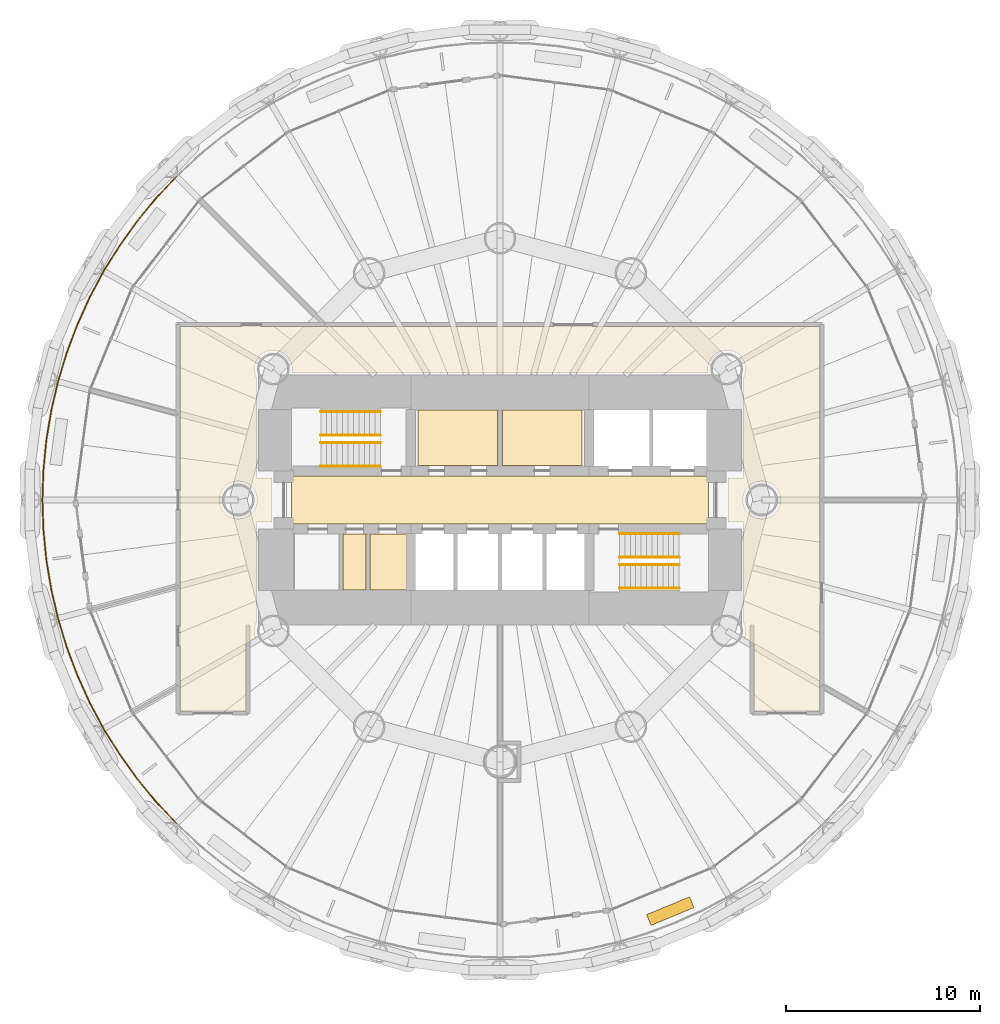
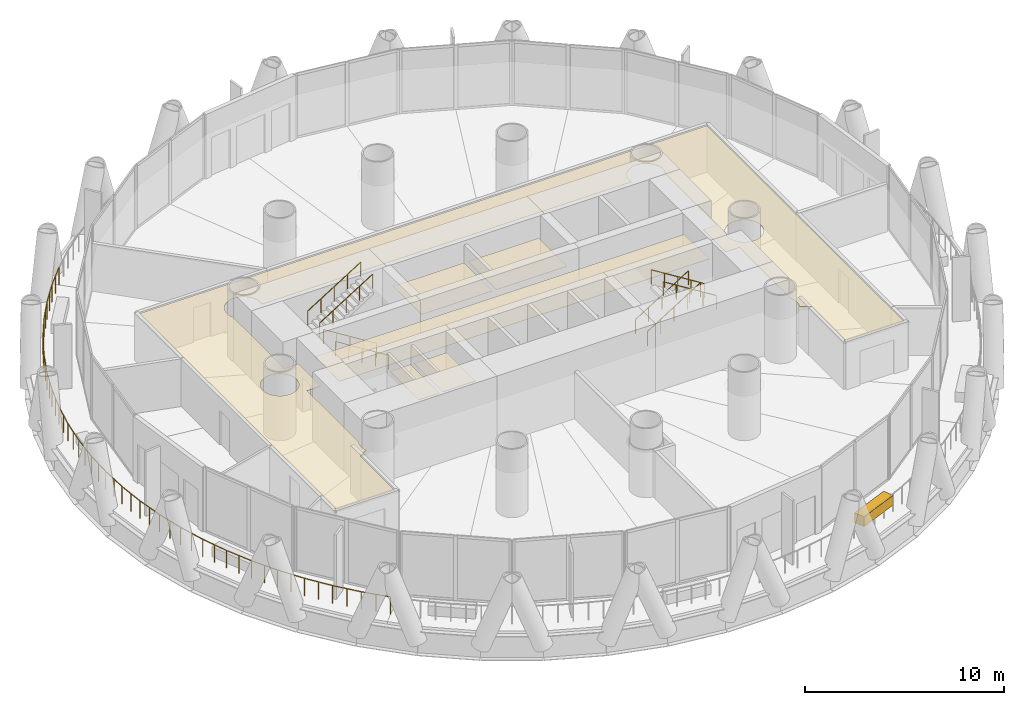
# One storey, part 13 of 15: 9 railings, 7 coverings.
"""IFC4 building model written with IfcOpenShell, lengths in metres."""

from ifc_helpers import new_model, si_unit, direction, frame, origin, origin_2d, place, context, subcontext, project, spatial, polyline, rectangle, circle, outline, extrude, material, layer, layer_set, type_object, element, save


model = new_model("IFC4")

# Units and contexts
model_context = context("Model", 3, precision=1e-05, world=origin(), true_north=direction((0.0, 1.0)))
body_context = subcontext(model_context, "Body", "Model", "MODEL_VIEW")
ifc_project = project(units=[si_unit("LENGTHUNIT", "METRE"), si_unit("AREAUNIT", "SQUARE_METRE"), si_unit("VOLUMEUNIT", "CUBIC_METRE"), si_unit("PLANEANGLEUNIT", "RADIAN"), si_unit("MASSUNIT", "GRAM", prefix="KILO")], contexts=[model_context])

# Site, building, storey
site_placement = place(None, origin())
site = spatial("IfcSite", under=ifc_project, at=site_placement, CompositionType="ELEMENT")
building_placement = place(site_placement, origin())
building = spatial("IfcBuilding", under=site, at=building_placement, Name="Qaws Media Tower", CompositionType="ELEMENT")
storey_placement = place(building_placement, frame((0.0, 0.0, 189.800048828125)))
storey = spatial("IfcBuildingStorey", under=building, at=storey_placement, Name="L43", CompositionType="ELEMENT", Elevation=189.800048828125)

# Railing
ifc_material_1 = material(Name="Stainless steel and glass guard", Category="steel")
railing_type_1 = type_object("IfcRailingType", Name="Balcony guard 1100", PredefinedType="GUARDRAIL", material=ifc_material_1)
railing_placement = place(storey_placement, frame((43.312255859375, 66.687744140625, 0.0)))
element("IfcRailing", 1, at=railing_placement, inside=storey, type_object=railing_type_1, Name="GR1 balcony guard L43-2", PredefinedType="GUARDRAIL", context=body_context, shape_type="SweptSolid", body=[
    extrude(circle(Radius=0.02392578125, at=origin_2d()), frame((0.0, 0.0, 1.076171875), z_axis=(-0.683567678195, -0.72988713465, 0.0), x_axis=(0.72988713465, -0.683567678195, 0.0)), (0.0, 0.0, 1.0), 1.54443359375),
    extrude(circle(Radius=0.02392578125, at=origin_2d()), frame((-1.0556640625, -1.127197265625, 1.076171875), z_axis=(-0.634382016115, -0.773019700674, 0.0), x_axis=(0.773019700674, -0.634382016115, 0.0)), (0.0, 0.0, 1.0), 1.54443359375),
    extrude(circle(Radius=0.02392578125, at=origin_2d()), frame((-2.035400390625, -2.321044921875, 1.076171875), z_axis=(-0.58258335011, -0.812770964156, 0.0), x_axis=(0.812770964156, -0.58258335011, 0.0)), (0.0, 0.0, 1.0), 1.544189453125),
    extrude(circle(Radius=0.02392578125, at=origin_2d()), frame((-2.93505859375, -3.576171875, 1.076171875), z_axis=(-0.528008081501, -0.849239345456, 0.0), x_axis=(0.849239345456, -0.528008081501, 0.0)), (0.0, 0.0, 1.0), 1.54443359375),
    extrude(circle(Radius=0.02392578125, at=origin_2d()), frame((-3.75048828125, -4.8876953125, 1.076171875), z_axis=(-0.471392110461, -0.881923737177, 0.0), x_axis=(0.881923737177, -0.471392110461, 0.0)), (0.0, 0.0, 1.0), 1.54443359375),
    extrude(circle(Radius=0.02392578125, at=origin_2d()), frame((-4.478515625, -6.249755859375, 1.076171875), z_axis=(-0.412611510873, -0.91090709795, 0.0), x_axis=(0.91090709795, -0.412611510873, 0.0)), (0.0, 0.0, 1.0), 1.54443359375),
    extrude(circle(Radius=0.02392578125, at=origin_2d()), frame((-5.11572265625, -7.656494140625, 1.076171875), z_axis=(-0.352370482159, -0.935860589673, 0.0), x_axis=(0.935860589673, -0.352370482159, 0.0)), (0.0, 0.0, 1.0), 1.54443359375),
    extrude(circle(Radius=0.02392578125, at=origin_2d()), frame((-5.659912109375, -9.101806640625, 1.076171875), z_axis=(-0.290261878945, -0.956947251227, 0.0), x_axis=(0.956947251227, -0.290261878945, 0.0)), (0.0, 0.0, 1.0), 1.544189453125),
    extrude(circle(Radius=0.02392578125, at=origin_2d()), frame((-6.108154296875, -10.57958984375, 1.076171875), z_axis=(-0.227029696794, -0.973887835828, 0.0), x_axis=(0.973887835828, -0.227029696794, 0.0)), (0.0, 0.0, 1.0), 1.544189453125),
    extrude(circle(Radius=0.02392578125, at=origin_2d()), frame((-6.458740234375, -12.08349609375, 1.076171875), z_axis=(-0.162963426156, -0.986632110635, 0.0), x_axis=(0.986632110635, -0.162963426156, 0.0)), (0.0, 0.0, 1.0), 1.544677734375),
    extrude(circle(Radius=0.02392578125, at=origin_2d()), frame((-6.71044921875, -13.607421875, 1.076171875), z_axis=(-0.098016610467, -0.995184778859, 0.0), x_axis=(0.995184778859, -0.098016610467, 0.0)), (0.0, 0.0, 1.0), 1.544189453125),
    extrude(circle(Radius=0.02392578125, at=origin_2d()), frame((-6.86181640625, -15.144287109375, 1.076171875), z_axis=(-0.032725265376, -0.999464385061, 0.0), x_axis=(0.999464385061, -0.032725265376, 0.0)), (0.0, 0.0, 1.0), 1.544189453125),
    extrude(circle(Radius=0.02392578125, at=origin_2d()), frame((-6.912353515625, -16.687744140625, 1.076171875), z_axis=(0.032725265376, -0.999464385061, 0.0), x_axis=(0.999464385061, 0.032725265376, 0.0)), (0.0, 0.0, 1.0), 1.544189453125),
    extrude(circle(Radius=0.02392578125, at=origin_2d()), frame((-6.86181640625, -18.231201171875, 1.076171875), z_axis=(0.098016610467, -0.995184778859, 0.0), x_axis=(0.995184778859, 0.098016610467, 0.0)), (0.0, 0.0, 1.0), 1.544189453125),
    extrude(circle(Radius=0.02392578125, at=origin_2d()), frame((-6.71044921875, -19.76806640625, 1.076171875), z_axis=(0.162963426156, -0.986632110635, 0.0), x_axis=(0.986632110635, 0.162963426156, 0.0)), (0.0, 0.0, 1.0), 1.544677734375),
    extrude(circle(Radius=0.02392578125, at=origin_2d()), frame((-6.458740234375, -21.2919921875, 1.076171875), z_axis=(0.227029696794, -0.973887835828, 0.0), x_axis=(0.973887835828, 0.227029696794, 0.0)), (0.0, 0.0, 1.0), 1.544189453125),
    extrude(circle(Radius=0.02392578125, at=origin_2d()), frame((-6.108154296875, -22.7958984375, 1.076171875), z_axis=(0.290261878945, -0.956947251227, 0.0), x_axis=(0.956947251227, 0.290261878945, 0.0)), (0.0, 0.0, 1.0), 1.544189453125),
    extrude(circle(Radius=0.02392578125, at=origin_2d()), frame((-5.659912109375, -24.273681640625, 1.076171875), z_axis=(0.352370482159, -0.935860589673, 0.0), x_axis=(0.935860589673, 0.352370482159, 0.0)), (0.0, 0.0, 1.0), 1.54443359375),
    extrude(circle(Radius=0.02392578125, at=origin_2d()), frame((-5.11572265625, -25.718994140625, 1.076171875), z_axis=(0.412611510873, -0.91090709795, 0.0), x_axis=(0.91090709795, 0.412611510873, 0.0)), (0.0, 0.0, 1.0), 1.54443359375),
    extrude(circle(Radius=0.02392578125, at=origin_2d()), frame((-4.478515625, -27.125732421875, 1.076171875), z_axis=(0.471392110461, -0.881923737177, 0.0), x_axis=(0.881923737177, 0.471392110461, 0.0)), (0.0, 0.0, 1.0), 1.54443359375),
    extrude(circle(Radius=0.02392578125, at=origin_2d()), frame((-3.75048828125, -28.48779296875, 1.076171875), z_axis=(0.528008081501, -0.849239345456, 0.0), x_axis=(0.849239345456, 0.528008081501, 0.0)), (0.0, 0.0, 1.0), 1.54443359375),
    extrude(circle(Radius=0.02392578125, at=origin_2d()), frame((-2.93505859375, -29.79931640625, 1.076171875), z_axis=(0.58258335011, -0.812770964156, 0.0), x_axis=(0.812770964156, 0.58258335011, 0.0)), (0.0, 0.0, 1.0), 1.544189453125),
    extrude(circle(Radius=0.02392578125, at=origin_2d()), frame((-2.035400390625, -31.054443359375, 1.076171875), z_axis=(0.634382016115, -0.773019700674, 0.0), x_axis=(0.773019700674, 0.634382016115, 0.0)), (0.0, 0.0, 1.0), 1.54443359375),
    extrude(circle(Radius=0.02392578125, at=origin_2d()), frame((-1.0556640625, -32.248291015625, 1.076171875), z_axis=(0.683567678195, -0.72988713465, 0.0), x_axis=(0.72988713465, 0.683567678195, 0.0)), (0.0, 0.0, 1.0), 1.54443359375),
    extrude(circle(Radius=0.02099609375, at=origin_2d()), origin(), (0.0, 0.0, 1.0), 1.052001953125),
    extrude(circle(Radius=0.02099609375, at=origin_2d()), frame((-0.52783203125, -0.5634765625, 0.0)), (0.0, 0.0, 1.0), 1.052001953125),
    extrude(circle(Radius=0.02099609375, at=origin_2d()), frame((-1.0556640625, -1.127197265625, 0.0)), (0.0, 0.0, 1.0), 1.052001953125),
    extrude(circle(Radius=0.02099609375, at=origin_2d()), frame((-1.54541015625, -1.72412109375, 0.0)), (0.0, 0.0, 1.0), 1.052001953125),
    extrude(circle(Radius=0.02099609375, at=origin_2d()), frame((-2.035400390625, -2.321044921875, 0.0)), (0.0, 0.0, 1.0), 1.052001953125),
    extrude(circle(Radius=0.02099609375, at=origin_2d()), frame((-2.4853515625, -2.94873046875, 0.0)), (0.0, 0.0, 1.0), 1.052001953125),
    extrude(circle(Radius=0.02099609375, at=origin_2d()), frame((-2.93505859375, -3.576171875, 0.0)), (0.0, 0.0, 1.0), 1.052001953125),
    extrude(circle(Radius=0.02099609375, at=origin_2d()), frame((-3.3427734375, -4.23193359375, 0.0)), (0.0, 0.0, 1.0), 1.052001953125),
    extrude(circle(Radius=0.02099609375, at=origin_2d()), frame((-3.75048828125, -4.8876953125, 0.0)), (0.0, 0.0, 1.0), 1.052001953125),
    extrude(circle(Radius=0.02099609375, at=origin_2d()), frame((-4.114501953125, -5.56884765625, 0.0)), (0.0, 0.0, 1.0), 1.052001953125),
    extrude(circle(Radius=0.02099609375, at=origin_2d()), frame((-4.478515625, -6.249755859375, 0.0)), (0.0, 0.0, 1.0), 1.052001953125),
    extrude(circle(Radius=0.02099609375, at=origin_2d()), frame((-4.797119140625, -6.953125, 0.0)), (0.0, 0.0, 1.0), 1.052001953125),
    extrude(circle(Radius=0.02099609375, at=origin_2d()), frame((-5.11572265625, -7.656494140625, 0.0)), (0.0, 0.0, 1.0), 1.052001953125),
    extrude(circle(Radius=0.02099609375, at=origin_2d()), frame((-5.3876953125, -8.379150390625, 0.0)), (0.0, 0.0, 1.0), 1.052001953125),
    extrude(circle(Radius=0.02099609375, at=origin_2d()), frame((-5.659912109375, -9.101806640625, 0.0)), (0.0, 0.0, 1.0), 1.052001953125),
    extrude(circle(Radius=0.02099609375, at=origin_2d()), frame((-5.884033203125, -9.8408203125, 0.0)), (0.0, 0.0, 1.0), 1.052001953125),
    extrude(circle(Radius=0.02099609375, at=origin_2d()), frame((-6.108154296875, -10.57958984375, 0.0)), (0.0, 0.0, 1.0), 1.052001953125),
    extrude(circle(Radius=0.02099609375, at=origin_2d()), frame((-6.283447265625, -11.33154296875, 0.0)), (0.0, 0.0, 1.0), 1.052001953125),
    extrude(circle(Radius=0.02099609375, at=origin_2d()), frame((-6.458740234375, -12.08349609375, 0.0)), (0.0, 0.0, 1.0), 1.052001953125),
    extrude(circle(Radius=0.02099609375, at=origin_2d()), frame((-6.58447265625, -12.845458984375, 0.0)), (0.0, 0.0, 1.0), 1.052001953125),
    extrude(circle(Radius=0.02099609375, at=origin_2d()), frame((-6.71044921875, -13.607421875, 0.0)), (0.0, 0.0, 1.0), 1.052001953125),
    extrude(circle(Radius=0.02099609375, at=origin_2d()), frame((-6.7861328125, -14.3759765625, 0.0)), (0.0, 0.0, 1.0), 1.052001953125),
    extrude(circle(Radius=0.02099609375, at=origin_2d()), frame((-6.86181640625, -15.144287109375, 0.0)), (0.0, 0.0, 1.0), 1.052001953125),
    extrude(circle(Radius=0.02099609375, at=origin_2d()), frame((-6.88720703125, -15.916015625, 0.0)), (0.0, 0.0, 1.0), 1.052001953125),
    extrude(circle(Radius=0.02099609375, at=origin_2d()), frame((-6.912353515625, -16.687744140625, 0.0)), (0.0, 0.0, 1.0), 1.052001953125),
    extrude(circle(Radius=0.02099609375, at=origin_2d()), frame((-6.88720703125, -17.45947265625, 0.0)), (0.0, 0.0, 1.0), 1.052001953125),
    extrude(circle(Radius=0.02099609375, at=origin_2d()), frame((-6.86181640625, -18.231201171875, 0.0)), (0.0, 0.0, 1.0), 1.052001953125),
    extrude(circle(Radius=0.02099609375, at=origin_2d()), frame((-6.7861328125, -18.99951171875, 0.0)), (0.0, 0.0, 1.0), 1.052001953125),
    extrude(circle(Radius=0.02099609375, at=origin_2d()), frame((-6.71044921875, -19.76806640625, 0.0)), (0.0, 0.0, 1.0), 1.052001953125),
    extrude(circle(Radius=0.02099609375, at=origin_2d()), frame((-6.58447265625, -20.530029296875, 0.0)), (0.0, 0.0, 1.0), 1.052001953125),
    extrude(circle(Radius=0.02099609375, at=origin_2d()), frame((-6.458740234375, -21.2919921875, 0.0)), (0.0, 0.0, 1.0), 1.052001953125),
    extrude(circle(Radius=0.02099609375, at=origin_2d()), frame((-6.283447265625, -22.0439453125, 0.0)), (0.0, 0.0, 1.0), 1.052001953125),
    extrude(circle(Radius=0.02099609375, at=origin_2d()), frame((-6.108154296875, -22.7958984375, 0.0)), (0.0, 0.0, 1.0), 1.052001953125),
    extrude(circle(Radius=0.02099609375, at=origin_2d()), frame((-5.884033203125, -23.53466796875, 0.0)), (0.0, 0.0, 1.0), 1.052001953125),
    extrude(circle(Radius=0.02099609375, at=origin_2d()), frame((-5.659912109375, -24.273681640625, 0.0)), (0.0, 0.0, 1.0), 1.052001953125),
    extrude(circle(Radius=0.02099609375, at=origin_2d()), frame((-5.3876953125, -24.996337890625, 0.0)), (0.0, 0.0, 1.0), 1.052001953125),
    extrude(circle(Radius=0.02099609375, at=origin_2d()), frame((-5.11572265625, -25.718994140625, 0.0)), (0.0, 0.0, 1.0), 1.052001953125),
    extrude(circle(Radius=0.02099609375, at=origin_2d()), frame((-4.797119140625, -26.42236328125, 0.0)), (0.0, 0.0, 1.0), 1.052001953125),
    extrude(circle(Radius=0.02099609375, at=origin_2d()), frame((-4.478515625, -27.125732421875, 0.0)), (0.0, 0.0, 1.0), 1.052001953125),
    extrude(circle(Radius=0.02099609375, at=origin_2d()), frame((-4.114501953125, -27.806640625, 0.0)), (0.0, 0.0, 1.0), 1.052001953125),
    extrude(circle(Radius=0.02099609375, at=origin_2d()), frame((-3.75048828125, -28.48779296875, 0.0)), (0.0, 0.0, 1.0), 1.052001953125),
    extrude(circle(Radius=0.02099609375, at=origin_2d()), frame((-3.3427734375, -29.1435546875, 0.0)), (0.0, 0.0, 1.0), 1.052001953125),
    extrude(circle(Radius=0.02099609375, at=origin_2d()), frame((-2.93505859375, -29.79931640625, 0.0)), (0.0, 0.0, 1.0), 1.052001953125),
    extrude(circle(Radius=0.02099609375, at=origin_2d()), frame((-2.4853515625, -30.4267578125, 0.0)), (0.0, 0.0, 1.0), 1.052001953125),
    extrude(circle(Radius=0.02099609375, at=origin_2d()), frame((-2.035400390625, -31.054443359375, 0.0)), (0.0, 0.0, 1.0), 1.052001953125),
    extrude(circle(Radius=0.02099609375, at=origin_2d()), frame((-1.54541015625, -31.6513671875, 0.0)), (0.0, 0.0, 1.0), 1.052001953125),
    extrude(circle(Radius=0.02099609375, at=origin_2d()), frame((-1.0556640625, -32.248291015625, 0.0)), (0.0, 0.0, 1.0), 1.052001953125),
    extrude(circle(Radius=0.02099609375, at=origin_2d()), frame((-0.52783203125, -32.81201171875, 0.0)), (0.0, 0.0, 1.0), 1.052001953125),
    extrude(circle(Radius=0.02099609375, at=origin_2d()), frame((0.0, -33.37548828125, 0.0)), (0.0, 0.0, 1.0), 1.052001953125),
])

# Coverings
ifc_material_2 = material(Name="600 x 600 mineral fibre tiles in exposed grid, suspended", Category="mineral fibre")
ifc_layer_1 = layer(ifc_material_2, 0.02001953125)
ifc_layer_set_1 = layer_set([ifc_layer_1], Name="Mineral fibre tile ceiling 20")
covering_type_1 = type_object("IfcCoveringType", Name="Mineral fibre tile ceiling 20", PredefinedType="CEILING", material=ifc_layer_set_1)
covering_1_placement = place(storey_placement, frame((0.0, 0.0, 2.849853515625)))
element("IfcCovering", 2, at=covering_1_placement, inside=storey, type_object=covering_type_1, Name="CL1 ceiling L43-C07 Ladies toilets", PredefinedType="CEILING", context=body_context, shape_type="SweptSolid", body=[
    extrude(outline(polyline([(55.77001953125, 51.77001953125), (55.77001953125, 54.6298828125), (59.8798828125, 54.6298828125), (59.8798828125, 51.77001953125), (55.77001953125, 51.77001953125)])), origin(), (0.0, 0.0, 1.0), 0.02001953125),
])
covering_2_placement = place(storey_placement, frame((0.0, 0.0, 2.849853515625)))
element("IfcCovering", 3, at=covering_2_placement, inside=storey, type_object=covering_type_1, Name="CL1 ceiling L43-C08 Gents toilets", PredefinedType="CEILING", context=body_context, shape_type="SweptSolid", body=[
    extrude(outline(polyline([(60.1201171875, 51.77001953125), (60.1201171875, 54.6298828125), (64.22998046875, 54.6298828125), (64.22998046875, 51.77001953125), (60.1201171875, 51.77001953125)])), origin(), (0.0, 0.0, 1.0), 0.02001953125),
])
covering_3_placement = place(storey_placement, frame((0.0, 0.0, 2.849853515625)))
element("IfcCovering", 4, at=covering_3_placement, inside=storey, type_object=covering_type_1, Name="CL1 ceiling L43-01 Corridor", PredefinedType="CEILING", context=body_context, shape_type="SweptSolid", body=[
    extrude(outline(polyline([(43.512451171875, 39.112548828125), (43.512451171875, 58.9375), (76.487548828125, 58.9375), (76.487548828125, 39.112548828125), (73.112548828125, 39.112548828125), (73.112548828125, 42.559326171875), (72.583984375, 42.864501953125), (72.59033203125, 42.877685546875), (72.631103515625, 42.998291015625), (72.656005859375, 43.123046875), (72.664306640625, 43.25), (72.656005859375, 43.376953125), (72.631103515625, 43.501708984375), (72.59033203125, 43.622314453125), (72.5625, 43.6787109375), (72.5625, 48.862548828125), (71.762451171875, 48.862548828125), (71.762451171875, 51.137451171875), (72.5625, 51.137451171875), (72.5625, 56.3212890625), (72.59033203125, 56.377685546875), (72.631103515625, 56.498291015625), (72.656005859375, 56.623046875), (72.664306640625, 56.75), (72.656005859375, 56.876953125), (72.631103515625, 57.001708984375), (72.59033203125, 57.122314453125), (72.533935546875, 57.236572265625), (72.46337890625, 57.34228515625), (72.37939453125, 57.43798828125), (72.28369140625, 57.52197265625), (72.177734375, 57.592529296875), (72.063720703125, 57.64892578125), (71.943115234375, 57.689697265625), (71.818359375, 57.714599609375), (71.69140625, 57.722900390625), (71.564208984375, 57.714599609375), (71.439453125, 57.689697265625), (71.319091796875, 57.64892578125), (71.204833984375, 57.592529296875), (71.09912109375, 57.52197265625), (71.00341796875, 57.43798828125), (70.91943359375, 57.34228515625), (70.8486328125, 57.236572265625), (70.79248046875, 57.122314453125), (70.75146484375, 57.001708984375), (70.726806640625, 56.876953125), (70.71826171875, 56.75), (70.726806640625, 56.623046875), (70.73876953125, 56.5625), (49.26123046875, 56.5625), (49.273193359375, 56.623046875), (49.28173828125, 56.75), (49.273193359375, 56.876953125), (49.24853515625, 57.001708984375), (49.20751953125, 57.122314453125), (49.1513671875, 57.236572265625), (49.08056640625, 57.34228515625), (48.99658203125, 57.43798828125), (48.90087890625, 57.52197265625), (48.795166015625, 57.592529296875), (48.680908203125, 57.64892578125), (48.560546875, 57.689697265625), (48.435791015625, 57.714599609375), (48.30859375, 57.722900390625), (48.181640625, 57.714599609375), (48.056884765625, 57.689697265625), (47.936279296875, 57.64892578125), (47.822265625, 57.592529296875), (47.71630859375, 57.52197265625), (47.62060546875, 57.43798828125), (47.53662109375, 57.34228515625), (47.466064453125, 57.236572265625), (47.40966796875, 57.122314453125), (47.368896484375, 57.001708984375), (47.343994140625, 56.876953125), (47.335693359375, 56.75), (47.343994140625, 56.623046875), (47.368896484375, 56.498291015625), (47.40966796875, 56.377685546875), (47.4375, 56.3212890625), (47.4375, 51.137451171875), (48.237548828125, 51.137451171875), (48.237548828125, 48.862548828125), (47.4375, 48.862548828125), (47.4375, 43.6787109375), (47.40966796875, 43.622314453125), (47.368896484375, 43.501708984375), (47.343994140625, 43.376953125), (47.335693359375, 43.25), (47.343994140625, 43.123046875), (47.368896484375, 42.998291015625), (47.40966796875, 42.877685546875), (47.416015625, 42.864501953125), (46.887451171875, 42.559326171875), (46.887451171875, 39.112548828125), (43.512451171875, 39.112548828125)]), holes=[polyline([(47.39892578125, 49.627685546875), (47.439697265625, 49.748291015625), (47.464599609375, 49.873046875), (47.472900390625, 50.0), (47.464599609375, 50.126953125), (47.439697265625, 50.251708984375), (47.39892578125, 50.372314453125), (47.342529296875, 50.486572265625), (47.27197265625, 50.59228515625), (47.18798828125, 50.68798828125), (47.09228515625, 50.77197265625), (46.986572265625, 50.842529296875), (46.872314453125, 50.89892578125), (46.751708984375, 50.939697265625), (46.626953125, 50.964599609375), (46.5, 50.972900390625), (46.373046875, 50.964599609375), (46.248291015625, 50.939697265625), (46.127685546875, 50.89892578125), (46.013427734375, 50.842529296875), (45.90771484375, 50.77197265625), (45.81201171875, 50.68798828125), (45.72802734375, 50.59228515625), (45.657470703125, 50.486572265625), (45.60107421875, 50.372314453125), (45.560302734375, 50.251708984375), (45.535400390625, 50.126953125), (45.527099609375, 50.0), (45.535400390625, 49.873046875), (45.560302734375, 49.748291015625), (45.60107421875, 49.627685546875), (45.657470703125, 49.513427734375), (45.72802734375, 49.40771484375), (45.81201171875, 49.31201171875), (45.90771484375, 49.22802734375), (46.013427734375, 49.157470703125), (46.127685546875, 49.10107421875), (46.248291015625, 49.060302734375), (46.373046875, 49.035400390625), (46.5, 49.027099609375), (46.626953125, 49.035400390625), (46.751708984375, 49.060302734375), (46.872314453125, 49.10107421875), (46.986572265625, 49.157470703125), (47.09228515625, 49.22802734375), (47.18798828125, 49.31201171875), (47.27197265625, 49.40771484375), (47.342529296875, 49.513427734375), (47.39892578125, 49.627685546875)]), polyline([(74.439697265625, 49.748291015625), (74.464599609375, 49.873046875), (74.472900390625, 50.0), (74.464599609375, 50.126953125), (74.439697265625, 50.251708984375), (74.39892578125, 50.372314453125), (74.342529296875, 50.486572265625), (74.27197265625, 50.59228515625), (74.18798828125, 50.68798828125), (74.09228515625, 50.77197265625), (73.986572265625, 50.842529296875), (73.872314453125, 50.89892578125), (73.751708984375, 50.939697265625), (73.626953125, 50.964599609375), (73.5, 50.972900390625), (73.373046875, 50.964599609375), (73.248291015625, 50.939697265625), (73.127685546875, 50.89892578125), (73.013427734375, 50.842529296875), (72.90771484375, 50.77197265625), (72.81201171875, 50.68798828125), (72.72802734375, 50.59228515625), (72.657470703125, 50.486572265625), (72.60107421875, 50.372314453125), (72.560302734375, 50.251708984375), (72.535400390625, 50.126953125), (72.527099609375, 50.0), (72.535400390625, 49.873046875), (72.560302734375, 49.748291015625), (72.60107421875, 49.627685546875), (72.657470703125, 49.513427734375), (72.72802734375, 49.40771484375), (72.81201171875, 49.31201171875), (72.90771484375, 49.22802734375), (73.013427734375, 49.157470703125), (73.127685546875, 49.10107421875), (73.248291015625, 49.060302734375), (73.373046875, 49.035400390625), (73.5, 49.027099609375), (73.626953125, 49.035400390625), (73.751708984375, 49.060302734375), (73.872314453125, 49.10107421875), (73.986572265625, 49.157470703125), (74.09228515625, 49.22802734375), (74.18798828125, 49.31201171875), (74.27197265625, 49.40771484375), (74.342529296875, 49.513427734375), (74.39892578125, 49.627685546875), (74.439697265625, 49.748291015625)])]), origin(), (0.0, 0.0, 1.0), 0.02001953125),
])
covering_4_placement = place(storey_placement, frame((0.0, 0.0, 2.849853515625)))
element("IfcCovering", 5, at=covering_4_placement, inside=storey, type_object=covering_type_1, Name="CL1 ceiling L43-C05 Cleaner's room", PredefinedType="CEILING", context=body_context, shape_type="SweptSolid", body=[
    extrude(outline(polyline([(51.89990234375, 45.35009765625), (51.89990234375, 48.25), (53.10009765625, 48.25), (53.10009765625, 45.35009765625), (51.89990234375, 45.35009765625)])), origin(), (0.0, 0.0, 1.0), 0.02001953125),
])
covering_5_placement = place(storey_placement, frame((0.0, 0.0, 2.849853515625)))
element("IfcCovering", 6, at=covering_5_placement, inside=storey, type_object=covering_type_1, Name="CL1 ceiling L43-C06 First aid room", PredefinedType="CEILING", context=body_context, shape_type="SweptSolid", body=[
    extrude(outline(polyline([(53.300048828125, 45.35009765625), (53.300048828125, 48.25), (55.199951171875, 48.25), (55.199951171875, 45.35009765625), (53.300048828125, 45.35009765625)])), origin(), (0.0, 0.0, 1.0), 0.02001953125),
])
ifc_material_3 = material(Name="Precast concrete planter with trailing planting", Category="concrete")
ifc_layer_2 = layer(ifc_material_3, 0.60009765625)
ifc_layer_set_2 = layer_set([ifc_layer_2], Name="Planter 2400x600")
covering_type_2 = type_object("IfcCoveringType", Name="Planter 2400x600", PredefinedType="USERDEFINED", material=ifc_layer_set_2)
covering_6_placement = place(storey_placement, frame((68.782470703125, 28.796875, 0.0), z_axis=(0.0, 0.0, 1.0), x_axis=(0.923879532511, 0.382683432365, 0.0)))
element("IfcCovering", 7, at=covering_6_placement, inside=storey, type_object=covering_type_2, Name="PL1 balcony planter L43-10", ObjectType="PLANTER", PredefinedType="USERDEFINED", context=body_context, shape_type="SweptSolid", body=[
    extrude(rectangle(XDim=2.39990234375, YDim=0.60009765625, at=origin_2d()), origin(), (0.0, 0.0, 1.0), 0.60009765625),
])
ifc_material_4 = material(Name="Two layers 12.5 moisture-resistant plasterboard on suspended metal furring", Category="gypsum")
ifc_layer_3 = layer(ifc_material_4, 0.02490234375)
ifc_layer_set_3 = layer_set([ifc_layer_3], Name="Plasterboard ceiling 25")
covering_type_3 = type_object("IfcCoveringType", Name="Plasterboard ceiling 25", PredefinedType="CEILING", material=ifc_layer_set_3)
covering_7_placement = place(storey_placement, frame((0.0, 0.0, 2.849853515625)))
element("IfcCovering", 8, at=covering_7_placement, inside=storey, type_object=covering_type_3, Name="CL2 ceiling L43-C01 Lift lobby", PredefinedType="CEILING", context=body_context, shape_type="SweptSolid", body=[
    extrude(outline(polyline([(49.25, 48.75), (49.25, 51.25), (70.75, 51.25), (70.75, 48.75), (49.25, 48.75)])), origin(), (0.0, 0.0, 1.0), 0.025146484375),
])

# Railings
ifc_material_5 = material(Name="Steel tube handrail", Category="steel")
railing_type_2 = type_object("IfcRailingType", Name="Stair handrail 900", PredefinedType="HANDRAIL", material=ifc_material_5)
for number, where, name in (
    (9, (53.840087890625, 51.75, 0.175048828125), "HR1 handrail S1 flight 1 L43"),
    (10, (53.840087890625, 52.9599609375, 0.175048828125), "HR1 handrail S1 flight 1 L43"),
):
    element("IfcRailing", number, at=place(storey_placement, frame(where)), inside=storey, type_object=railing_type_2, Name=name, PredefinedType="HANDRAIL", context=body_context, shape_type="SweptSolid", body=[
        extrude(circle(Radius=0.02392578125, at=origin_2d()), frame((0.0, 0.0, 0.8759765625), z_axis=(-0.848028513186, 0.0, 0.529950602248), x_axis=(0.0, -1.0, 0.0)), (0.0, 0.0, 1.0), 3.632080078125),
        extrude(circle(Radius=0.02099609375, at=origin_2d()), origin(), (0.0, 0.0, 1.0), 0.851806640625),
        extrude(circle(Radius=0.02099609375, at=origin_2d()), frame((-0.77001953125, 0.0, 0.481201171875)), (0.0, 0.0, 1.0), 0.851806640625),
        extrude(circle(Radius=0.02099609375, at=origin_2d()), frame((-1.5400390625, 0.0, 0.96240234375)), (0.0, 0.0, 1.0), 0.851806640625),
        extrude(circle(Radius=0.02099609375, at=origin_2d()), frame((-2.31005859375, 0.0, 1.443603515625)), (0.0, 0.0, 1.0), 0.851806640625),
        extrude(circle(Radius=0.02099609375, at=origin_2d()), frame((-3.080078125, 0.0, 1.9248046875)), (0.0, 0.0, 1.0), 0.851806640625),
    ])
for number, where, name in (
    (11, (50.760009765625, 54.550048828125, 2.27490234375), "HR1 handrail S1 flight 2 L43"),
    (12, (50.760009765625, 53.340087890625, 2.27490234375), "HR1 handrail S1 flight 2 L43"),
):
    element("IfcRailing", number, at=place(storey_placement, frame(where)), inside=storey, type_object=railing_type_2, Name=name, PredefinedType="HANDRAIL", context=body_context, shape_type="SweptSolid", body=[
        extrude(circle(Radius=0.02392578125, at=origin_2d()), frame((0.0, 0.0, 0.8759765625), z_axis=(0.847998304005, 0.0, 0.529998940003), x_axis=(0.0, 1.0, 0.0)), (0.0, 0.0, 1.0), 3.632080078125),
        extrude(circle(Radius=0.02099609375, at=origin_2d()), origin(), (0.0, 0.0, 1.0), 0.851806640625),
        extrude(circle(Radius=0.02099609375, at=origin_2d()), frame((0.77001953125, 0.0, 0.481201171875)), (0.0, 0.0, 1.0), 0.851806640625),
        extrude(circle(Radius=0.02099609375, at=origin_2d()), frame((1.5400390625, 0.0, 0.96240234375)), (0.0, 0.0, 1.0), 0.851806640625),
        extrude(circle(Radius=0.02099609375, at=origin_2d()), frame((2.31005859375, 0.0, 1.44384765625)), (0.0, 0.0, 1.0), 0.851806640625),
        extrude(circle(Radius=0.02099609375, at=origin_2d()), frame((3.080078125, 0.0, 1.925048828125)), (0.0, 0.0, 1.0), 0.851806640625),
    ])
for number, where, name in (
    (13, (66.159912109375, 48.25, 0.175048828125), "HR1 handrail S2 flight 1 L43"),
    (14, (66.159912109375, 47.0400390625, 0.175048828125), "HR1 handrail S2 flight 1 L43"),
):
    element("IfcRailing", number, at=place(storey_placement, frame(where)), inside=storey, type_object=railing_type_2, Name=name, PredefinedType="HANDRAIL", context=body_context, shape_type="SweptSolid", body=[
        extrude(circle(Radius=0.02392578125, at=origin_2d()), frame((0.0, 0.0, 0.8759765625), z_axis=(0.848028513186, 0.0, 0.529950602248), x_axis=(0.0, 1.0, 0.0)), (0.0, 0.0, 1.0), 3.632080078125),
        extrude(circle(Radius=0.02099609375, at=origin_2d()), origin(), (0.0, 0.0, 1.0), 0.851806640625),
        extrude(circle(Radius=0.02099609375, at=origin_2d()), frame((0.77001953125, 0.0, 0.481201171875)), (0.0, 0.0, 1.0), 0.851806640625),
        extrude(circle(Radius=0.02099609375, at=origin_2d()), frame((1.5400390625, 0.0, 0.96240234375)), (0.0, 0.0, 1.0), 0.851806640625),
        extrude(circle(Radius=0.02099609375, at=origin_2d()), frame((2.31005859375, 0.0, 1.443603515625)), (0.0, 0.0, 1.0), 0.851806640625),
        extrude(circle(Radius=0.02099609375, at=origin_2d()), frame((3.080078125, 0.0, 1.9248046875)), (0.0, 0.0, 1.0), 0.851806640625),
    ])
for number, where, name in (
    (15, (69.239990234375, 45.449951171875, 2.27490234375), "HR1 handrail S2 flight 2 L43"),
    (16, (69.239990234375, 46.659912109375, 2.27490234375), "HR1 handrail S2 flight 2 L43"),
):
    element("IfcRailing", number, at=place(storey_placement, frame(where)), inside=storey, type_object=railing_type_2, Name=name, PredefinedType="HANDRAIL", context=body_context, shape_type="SweptSolid", body=[
        extrude(circle(Radius=0.02392578125, at=origin_2d()), frame((0.0, 0.0, 0.8759765625), z_axis=(-0.847998304005, 0.0, 0.529998940003), x_axis=(0.0, -1.0, 0.0)), (0.0, 0.0, 1.0), 3.632080078125),
        extrude(circle(Radius=0.02099609375, at=origin_2d()), origin(), (0.0, 0.0, 1.0), 0.851806640625),
        extrude(circle(Radius=0.02099609375, at=origin_2d()), frame((-0.77001953125, 0.0, 0.481201171875)), (0.0, 0.0, 1.0), 0.851806640625),
        extrude(circle(Radius=0.02099609375, at=origin_2d()), frame((-1.5400390625, 0.0, 0.96240234375)), (0.0, 0.0, 1.0), 0.851806640625),
        extrude(circle(Radius=0.02099609375, at=origin_2d()), frame((-2.31005859375, 0.0, 1.44384765625)), (0.0, 0.0, 1.0), 0.851806640625),
        extrude(circle(Radius=0.02099609375, at=origin_2d()), frame((-3.080078125, 0.0, 1.925048828125)), (0.0, 0.0, 1.0), 0.851806640625),
    ])

save(model, "model.ifc")
